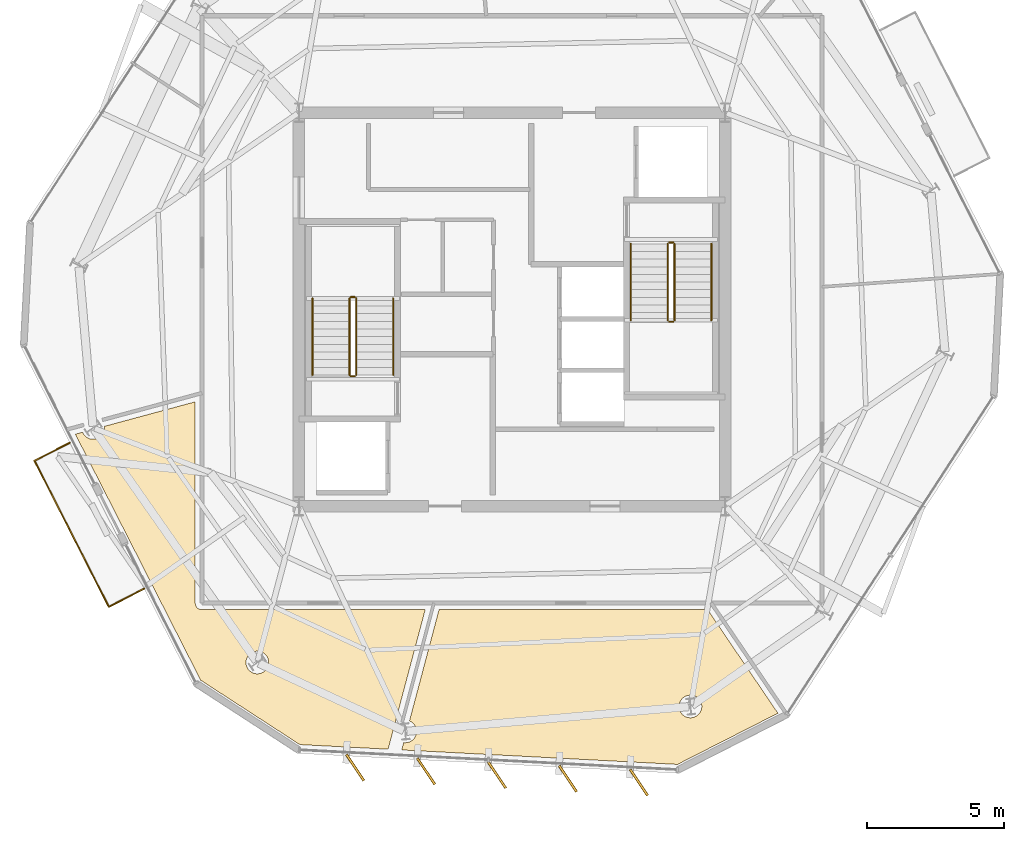
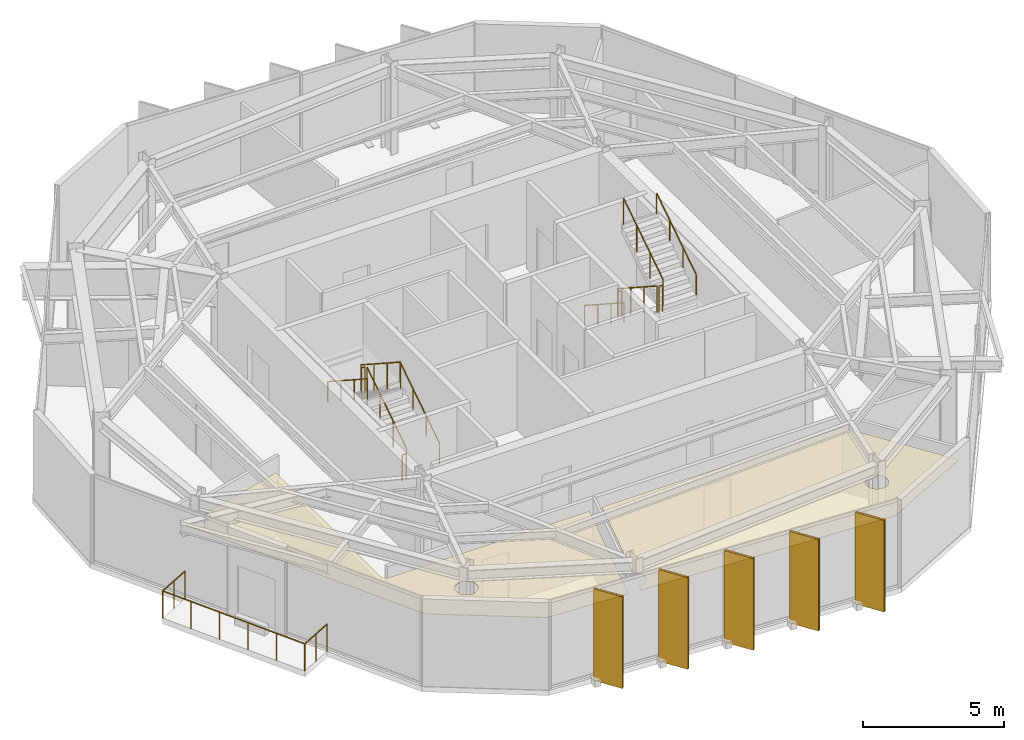
# One storey, part 10 of 11: 13 railings, 7 coverings, 5 shading devices.
"""IFC4 building model written with IfcOpenShell, lengths in metres."""

from ifc_helpers import new_model, si_unit, direction, frame, origin, origin_2d, place, context, subcontext, project, spatial, polyline, rectangle, circle, outline, extrude, material, layer, layer_set, type_object, element, save


model = new_model("IFC4")

# Units and contexts
model_context = context("Model", 3, precision=1e-05, world=origin(), true_north=direction((0.0, 1.0)))
body_context = subcontext(model_context, "Body", "Model", "MODEL_VIEW")
ifc_project = project(units=[si_unit("LENGTHUNIT", "METRE"), si_unit("AREAUNIT", "SQUARE_METRE"), si_unit("VOLUMEUNIT", "CUBIC_METRE"), si_unit("PLANEANGLEUNIT", "RADIAN"), si_unit("MASSUNIT", "GRAM", prefix="KILO")], contexts=[model_context])

# Site, building, storey
site_placement = place(None, origin())
site = spatial("IfcSite", under=ifc_project, at=site_placement, CompositionType="ELEMENT")
building_placement = place(site_placement, origin())
building = spatial("IfcBuilding", under=site, at=building_placement, Name="Kranzbogen Civic Tower", CompositionType="ELEMENT")
storey_placement = place(building_placement, frame((0.0, 0.0, 254.199951171875)))
storey = spatial("IfcBuildingStorey", under=building, at=storey_placement, Name="L61", CompositionType="ELEMENT", Elevation=254.199951171875)

# Coverings
ifc_material_1 = material(Name="Pale Anodised Aluminium", Category="aluminium")
ifc_layer_1 = layer(ifc_material_1, 0.02490234375, Name="Pale Anodised Aluminium")
ifc_layer_set_1 = layer_set([ifc_layer_1], Name="Pale Anodised Aluminium")
covering_type_1 = type_object("IfcCoveringType", Name="Anodised Aluminium Vertical Fin Cladding 25 mm", PredefinedType="CLADDING", material=ifc_layer_set_1)
for number, where, z_axis, x_axis, name in (
    (1, (19.259033203125, 8.22509765625, -0.139892578125), (0.0, 0.0, 1.0), (0.556614649614, -0.830770805839, 0.0), "L61 vertical fin pale-metal cladding F4-1"),
    (2, (21.85498046875, 8.089111328125, -0.139892578125), (0.0, 0.0, 1.0), (0.556614649614, -0.830770805839, 0.0), "L61 vertical fin pale-metal cladding F4-2"),
    (3, (24.451904296875, 7.952880859375, -0.139892578125), (0.0, 0.0, 1.0), (0.556614649614, -0.830770805839, 0.0), "L61 vertical fin pale-metal cladding F4-3"),
    (4, (27.048095703125, 7.81689453125, -0.139892578125), (0.0, 0.0, 1.0), (0.556614649614, -0.830770805839, 0.0), "L61 vertical fin pale-metal cladding F4-4"),
    (5, (29.64501953125, 7.680908203125, -0.139892578125), (0.0, 0.0, 1.0), (0.556614649614, -0.830770805839, 0.0), "L61 vertical fin pale-metal cladding F4-5"),
):
    element("IfcCovering", number, at=place(storey_placement, frame(where, z_axis=z_axis, x_axis=x_axis)), inside=storey, type_object=covering_type_1, Name=name, PredefinedType="CLADDING", context=body_context, shape_type="SweptSolid", body=[
        extrude(rectangle(XDim=1.14990234375, YDim=0.094970703125, at=origin_2d()), origin(), (0.0, 0.0, 1.0), 3.9599609375),
    ])

# Railings
ifc_material_2 = material(Name="Anodised Bronze Aluminium", Category="aluminium")
railing_type_1 = type_object("IfcRailingType", Name="Cantilevered Balcony Glass and Bronze Balustrade 1200", PredefinedType="BALUSTRADE", material=ifc_material_2)
railing_1_placement = place(storey_placement, frame((8.81005859375, 20.117919921875, 0.0)))
element("IfcRailing", 6, at=railing_1_placement, inside=storey, type_object=railing_type_1, Name="L61 exterior terrace balustrade L61-TB1", PredefinedType="BALUSTRADE", context=body_context, shape_type="SweptSolid", body=[
    extrude(circle(Radius=0.02392578125, at=origin_2d()), frame((0.0, 0.0, 1.17578125), z_axis=(-0.891102454825, -0.453802176068, 0.0), x_axis=(0.453802176068, -0.891102454825, 0.0)), (0.0, 0.0, 1.0), 1.449951171875),
    extrude(circle(Radius=0.02392578125, at=origin_2d()), frame((-1.2919921875, -0.657958984375, 1.17578125), z_axis=(0.453987955216, -0.891007820683, 0.0), x_axis=(0.891007820683, 0.453987955216, 0.0)), (0.0, 0.0, 1.0), 6.0),
    extrude(circle(Radius=0.02392578125, at=origin_2d()), frame((1.431884765625, -6.00390625, 1.17578125), z_axis=(0.891102454825, 0.453802176068, 0.0), x_axis=(-0.453802176068, 0.891102454825, 0.0)), (0.0, 0.0, 1.0), 1.449951171875),
    extrude(circle(Radius=0.02099609375, at=origin_2d()), origin(), (0.0, 0.0, 1.0), 1.15185546875),
    extrude(circle(Radius=0.02099609375, at=origin_2d()), frame((-0.64599609375, -0.3291015625, 0.0)), (0.0, 0.0, 1.0), 1.15185546875),
    extrude(circle(Radius=0.02099609375, at=origin_2d()), frame((-1.2919921875, -0.657958984375, 0.0)), (0.0, 0.0, 1.0), 1.15185546875),
    extrude(circle(Radius=0.02099609375, at=origin_2d()), frame((-0.747314453125, -1.72705078125, 0.0)), (0.0, 0.0, 1.0), 1.15185546875),
    extrude(circle(Radius=0.02099609375, at=origin_2d()), frame((-0.202392578125, -2.79638671875, 0.0)), (0.0, 0.0, 1.0), 1.15185546875),
    extrude(circle(Radius=0.02099609375, at=origin_2d()), frame((0.34228515625, -3.865478515625, 0.0)), (0.0, 0.0, 1.0), 1.15185546875),
    extrude(circle(Radius=0.02099609375, at=origin_2d()), frame((0.88720703125, -4.934814453125, 0.0)), (0.0, 0.0, 1.0), 1.15185546875),
    extrude(circle(Radius=0.02099609375, at=origin_2d()), frame((1.431884765625, -6.00390625, 0.0)), (0.0, 0.0, 1.0), 1.15185546875),
    extrude(circle(Radius=0.02099609375, at=origin_2d()), frame((2.077880859375, -5.6748046875, 0.0)), (0.0, 0.0, 1.0), 1.15185546875),
    extrude(circle(Radius=0.02099609375, at=origin_2d()), frame((2.723876953125, -5.345947265625, 0.0)), (0.0, 0.0, 1.0), 1.15185546875),
])
ifc_material_3 = material(Name="Steel S355", Category="steel")
railing_type_2 = type_object("IfcRailingType", Name="Internal Stair and Void Steel Guardrail 1150", PredefinedType="GUARDRAIL", material=ifc_material_3)
railing_2_placement = place(storey_placement, frame((19.300048828125, 22.60009765625, 0.181884765625)))
element("IfcRailing", 7, at=railing_2_placement, inside=storey, type_object=railing_type_2, Name="L61 ST-T1 stair guard 1", PredefinedType="GUARDRAIL", context=body_context, shape_type="SweptSolid", body=[
    extrude(circle(Radius=0.02392578125, at=origin_2d()), frame((0.0, 0.0, 1.1259765625), z_axis=(0.0, 0.83868413941, 0.544618136222), x_axis=(-1.0, 0.0, 0.0)), (0.0, 0.0, 1.0), 3.33837890625),
    extrude(circle(Radius=0.02099609375, at=origin_2d()), origin(), (0.0, 0.0, 1.0), 1.101806640625),
    extrude(circle(Radius=0.02099609375, at=origin_2d()), frame((0.0, 0.933349609375, 0.60595703125)), (0.0, 0.0, 1.0), 1.101806640625),
    extrude(circle(Radius=0.02099609375, at=origin_2d()), frame((0.0, 1.866455078125, 1.212158203125)), (0.0, 0.0, 1.0), 1.101806640625),
    extrude(circle(Radius=0.02099609375, at=origin_2d()), frame((0.0, 2.7998046875, 1.818115234375)), (0.0, 0.0, 1.0), 1.101806640625),
])
railing_3_placement = place(storey_placement, frame((19.25, 25.449951171875, 2.0)))
element("IfcRailing", 8, at=railing_3_placement, inside=storey, type_object=railing_type_2, Name="L61 ST-T1 stair guard 2", PredefinedType="GUARDRAIL", context=body_context, shape_type="SweptSolid", body=[
    extrude(circle(Radius=0.02392578125, at=origin_2d()), frame((0.0, 0.0, 1.1259765625), z_axis=(-1.0, 0.0, 0.0), x_axis=(0.0, -1.0, 0.0)), (0.0, 0.0, 1.0), 0.14990234375),
    extrude(circle(Radius=0.02099609375, at=origin_2d()), origin(), (0.0, 0.0, 1.0), 1.101806640625),
    extrude(circle(Radius=0.02099609375, at=origin_2d()), frame((-0.14990234375, 0.0, 0.0)), (0.0, 0.0, 1.0), 1.101806640625),
])
railing_4_placement = place(storey_placement, frame((19.050048828125, 25.39990234375, 2.181884765625)))
element("IfcRailing", 9, at=railing_4_placement, inside=storey, type_object=railing_type_2, Name="L61 ST-T1 stair guard 3", PredefinedType="GUARDRAIL", context=body_context, shape_type="SweptSolid", body=[
    extrude(circle(Radius=0.02392578125, at=origin_2d()), frame((0.0, 0.0, 1.1259765625), z_axis=(0.0, -0.83868413941, 0.544618136222), x_axis=(1.0, 0.0, 0.0)), (0.0, 0.0, 1.0), 3.33837890625),
    extrude(circle(Radius=0.02099609375, at=origin_2d()), origin(), (0.0, 0.0, 1.0), 1.101806640625),
    extrude(circle(Radius=0.02099609375, at=origin_2d()), frame((0.0, -0.933349609375, 0.60595703125)), (0.0, 0.0, 1.0), 1.101806640625),
    extrude(circle(Radius=0.02099609375, at=origin_2d()), frame((0.0, -1.866455078125, 1.212158203125)), (0.0, 0.0, 1.0), 1.101806640625),
    extrude(circle(Radius=0.02099609375, at=origin_2d()), frame((0.0, -2.7998046875, 1.818115234375)), (0.0, 0.0, 1.0), 1.101806640625),
])
railing_5_placement = place(storey_placement, frame((19.25, 22.550048828125, 0.0)))
element("IfcRailing", 10, at=railing_5_placement, inside=storey, type_object=railing_type_2, Name="L61 ST-T1 stair guard 4", PredefinedType="GUARDRAIL", context=body_context, shape_type="SweptSolid", body=[
    extrude(circle(Radius=0.02392578125, at=origin_2d()), frame((0.0, 0.0, 1.1259765625), z_axis=(-1.0, 0.0, 0.0), x_axis=(0.0, -1.0, 0.0)), (0.0, 0.0, 1.0), 0.14990234375),
    extrude(circle(Radius=0.02099609375, at=origin_2d()), origin(), (0.0, 0.0, 1.0), 1.101806640625),
    extrude(circle(Radius=0.02099609375, at=origin_2d()), frame((-0.14990234375, 0.0, 0.0)), (0.0, 0.0, 1.0), 1.101806640625),
])
railing_6_placement = place(storey_placement, frame((30.699951171875, 27.39990234375, 0.181884765625)))
element("IfcRailing", 11, at=railing_6_placement, inside=storey, type_object=railing_type_2, Name="L61 ST-T2 stair guard 1", PredefinedType="GUARDRAIL", context=body_context, shape_type="SweptSolid", body=[
    extrude(circle(Radius=0.02392578125, at=origin_2d()), frame((0.0, 0.0, 1.1259765625), z_axis=(0.0, -0.83868413941, 0.544618136222), x_axis=(1.0, 0.0, 0.0)), (0.0, 0.0, 1.0), 3.33837890625),
    extrude(circle(Radius=0.02099609375, at=origin_2d()), origin(), (0.0, 0.0, 1.0), 1.101806640625),
    extrude(circle(Radius=0.02099609375, at=origin_2d()), frame((0.0, -0.933349609375, 0.60595703125)), (0.0, 0.0, 1.0), 1.101806640625),
    extrude(circle(Radius=0.02099609375, at=origin_2d()), frame((0.0, -1.866455078125, 1.212158203125)), (0.0, 0.0, 1.0), 1.101806640625),
    extrude(circle(Radius=0.02099609375, at=origin_2d()), frame((0.0, -2.7998046875, 1.818115234375)), (0.0, 0.0, 1.0), 1.101806640625),
])
railing_7_placement = place(storey_placement, frame((30.75, 24.550048828125, 2.0)))
element("IfcRailing", 12, at=railing_7_placement, inside=storey, type_object=railing_type_2, Name="L61 ST-T2 stair guard 2", PredefinedType="GUARDRAIL", context=body_context, shape_type="SweptSolid", body=[
    extrude(circle(Radius=0.02392578125, at=origin_2d()), frame((0.0, 0.0, 1.1259765625), z_axis=(1.0, 0.0, 0.0), x_axis=(0.0, 1.0, 0.0)), (0.0, 0.0, 1.0), 0.14990234375),
    extrude(circle(Radius=0.02099609375, at=origin_2d()), origin(), (0.0, 0.0, 1.0), 1.101806640625),
    extrude(circle(Radius=0.02099609375, at=origin_2d()), frame((0.14990234375, 0.0, 0.0)), (0.0, 0.0, 1.0), 1.101806640625),
])
railing_8_placement = place(storey_placement, frame((30.949951171875, 24.60009765625, 2.181884765625)))
element("IfcRailing", 13, at=railing_8_placement, inside=storey, type_object=railing_type_2, Name="L61 ST-T2 stair guard 3", PredefinedType="GUARDRAIL", context=body_context, shape_type="SweptSolid", body=[
    extrude(circle(Radius=0.02392578125, at=origin_2d()), frame((0.0, 0.0, 1.1259765625), z_axis=(0.0, 0.83868413941, 0.544618136222), x_axis=(-1.0, 0.0, 0.0)), (0.0, 0.0, 1.0), 3.33837890625),
    extrude(circle(Radius=0.02099609375, at=origin_2d()), origin(), (0.0, 0.0, 1.0), 1.101806640625),
    extrude(circle(Radius=0.02099609375, at=origin_2d()), frame((0.0, 0.933349609375, 0.60595703125)), (0.0, 0.0, 1.0), 1.101806640625),
    extrude(circle(Radius=0.02099609375, at=origin_2d()), frame((0.0, 1.866455078125, 1.212158203125)), (0.0, 0.0, 1.0), 1.101806640625),
    extrude(circle(Radius=0.02099609375, at=origin_2d()), frame((0.0, 2.7998046875, 1.818115234375)), (0.0, 0.0, 1.0), 1.101806640625),
])
railing_9_placement = place(storey_placement, frame((30.75, 27.449951171875, 0.0)))
element("IfcRailing", 14, at=railing_9_placement, inside=storey, type_object=railing_type_2, Name="L61 ST-T2 stair guard 4", PredefinedType="GUARDRAIL", context=body_context, shape_type="SweptSolid", body=[
    extrude(circle(Radius=0.02392578125, at=origin_2d()), frame((0.0, 0.0, 1.1259765625), z_axis=(1.0, 0.0, 0.0), x_axis=(0.0, 1.0, 0.0)), (0.0, 0.0, 1.0), 0.14990234375),
    extrude(circle(Radius=0.02099609375, at=origin_2d()), origin(), (0.0, 0.0, 1.0), 1.101806640625),
    extrude(circle(Radius=0.02099609375, at=origin_2d()), frame((0.14990234375, 0.0, 0.0)), (0.0, 0.0, 1.0), 1.101806640625),
])

# Shading devices
shading_device_type = type_object("IfcShadingDeviceType", Name="Pale Anodised Aluminium Crown Fin 1150x75", PredefinedType="USERDEFINED", material=ifc_material_1)
for number, where, z_axis, x_axis, name in (
    (15, (19.259033203125, 8.22509765625, -0.139892578125), (0.0, 0.0, 1.0), (0.556614649614, -0.830770805839, 0.0), "L61 vertical exterior shading fin F4-1"),
    (16, (21.85498046875, 8.089111328125, -0.139892578125), (0.0, 0.0, 1.0), (0.556614649614, -0.830770805839, 0.0), "L61 vertical exterior shading fin F4-2"),
    (17, (24.451904296875, 7.952880859375, -0.139892578125), (0.0, 0.0, 1.0), (0.556614649614, -0.830770805839, 0.0), "L61 vertical exterior shading fin F4-3"),
    (18, (27.048095703125, 7.81689453125, -0.139892578125), (0.0, 0.0, 1.0), (0.556614649614, -0.830770805839, 0.0), "L61 vertical exterior shading fin F4-4"),
    (19, (29.64501953125, 7.680908203125, -0.139892578125), (0.0, 0.0, 1.0), (0.556614649614, -0.830770805839, 0.0), "L61 vertical exterior shading fin F4-5"),
):
    element("IfcShadingDevice", number, at=place(storey_placement, frame(where, z_axis=z_axis, x_axis=x_axis)), inside=storey, type_object=shading_device_type, Name=name, ObjectType="FIN", PredefinedType="USERDEFINED", context=body_context, shape_type="SweptSolid", body=[
        extrude(rectangle(XDim=1.14990234375, YDim=0.074951171875, at=origin_2d()), origin(), (0.0, 0.0, 1.0), 3.9599609375),
    ])

# Coverings
ifc_material_4 = material(Name="Perforated Acoustic Gypsum Ceiling")
ifc_layer_2 = layer(ifc_material_4, 0.02490234375, Name="Perforated Acoustic Gypsum Ceiling")
ifc_layer_set_2 = layer_set([ifc_layer_2], Name="Perforated Acoustic Gypsum Ceiling")
covering_type_2 = type_object("IfcCoveringType", Name="Perforated Acoustic Mineral Ceiling Tile 25 mm", PredefinedType="CEILING", material=ifc_layer_set_2)
covering_1_placement = place(storey_placement, frame((0.0, 0.0, 2.900146484375)))
element("IfcCovering", 20, at=covering_1_placement, inside=storey, type_object=covering_type_2, Name="L61 Public Delegation Reception acoustic ceiling", PredefinedType="CEILING", context=body_context, shape_type="SweptSolid", body=[
    extrude(outline(polyline([(13.60498046875, 11.424072265625), (9.01611328125, 20.430908203125), (9.281982421875, 20.5029296875), (9.281982421875, 20.501953125), (9.300048828125, 20.465087890625), (9.321044921875, 20.429931640625), (9.344970703125, 20.39697265625), (9.3720703125, 20.366943359375), (9.402099609375, 20.340087890625), (9.43505859375, 20.31591796875), (9.469970703125, 20.294921875), (9.507080078125, 20.277099609375), (9.544921875, 20.262939453125), (9.5849609375, 20.25390625), (9.625, 20.248046875), (9.666015625, 20.24609375), (9.70703125, 20.248046875), (9.7470703125, 20.25390625), (9.787109375, 20.262939453125), (9.824951171875, 20.277099609375), (9.862060546875, 20.294921875), (9.89697265625, 20.31591796875), (9.929931640625, 20.340087890625), (9.9599609375, 20.366943359375), (9.987060546875, 20.39697265625), (10.010986328125, 20.429931640625), (10.031982421875, 20.465087890625), (10.050048828125, 20.501953125), (10.06396484375, 20.5400390625), (10.072998046875, 20.580078125), (10.0791015625, 20.6201171875), (10.0810546875, 20.660888671875), (10.0791015625, 20.701904296875), (10.076904296875, 20.718017578125), (13.405029296875, 21.615966796875), (13.405029296875, 14.25), (13.405029296875, 14.240966796875), (13.406005859375, 14.235107421875), (13.406982421875, 14.217041015625), (13.407958984375, 14.2109375), (13.412109375, 14.194091796875), (13.4130859375, 14.18701171875), (13.41796875, 14.169921875), (13.419921875, 14.1640625), (13.427001953125, 14.14794921875), (13.429931640625, 14.14208984375), (13.43798828125, 14.126953125), (13.44189453125, 14.12109375), (13.450927734375, 14.10693359375), (13.455078125, 14.10205078125), (13.466064453125, 14.087890625), (13.470947265625, 14.0830078125), (13.48291015625, 14.071044921875), (13.488037109375, 14.06591796875), (13.501953125, 14.054931640625), (13.507080078125, 14.051025390625), (13.52099609375, 14.0419921875), (13.527099609375, 14.0380859375), (13.5419921875, 14.030029296875), (13.548095703125, 14.027099609375), (13.56396484375, 14.02001953125), (13.570068359375, 14.01806640625), (13.5869140625, 14.012939453125), (13.593994140625, 14.011962890625), (13.611083984375, 14.008056640625), (13.616943359375, 14.007080078125), (13.635009765625, 14.006103515625), (13.64111328125, 14.0048828125), (13.64990234375, 14.0048828125), (21.822021484375, 14.0048828125), (20.464111328125, 8.89892578125), (17.23291015625, 9.068115234375), (13.60498046875, 11.424072265625)]), holes=[polyline([(16.06201171875, 11.9150390625), (16.0439453125, 11.8779296875), (16.02294921875, 11.843017578125), (15.9990234375, 11.81005859375), (15.971923828125, 11.780029296875), (15.94189453125, 11.7529296875), (15.908935546875, 11.72900390625), (15.8740234375, 11.7080078125), (15.8369140625, 11.68994140625), (15.799072265625, 11.676025390625), (15.759033203125, 11.6669921875), (15.718994140625, 11.660888671875), (15.677978515625, 11.658935546875), (15.636962890625, 11.660888671875), (15.596923828125, 11.6669921875), (15.556884765625, 11.676025390625), (15.51904296875, 11.68994140625), (15.48193359375, 11.7080078125), (15.447021484375, 11.72900390625), (15.4140625, 11.7529296875), (15.384033203125, 11.780029296875), (15.35693359375, 11.81005859375), (15.3330078125, 11.843017578125), (15.31201171875, 11.8779296875), (15.2939453125, 11.9150390625), (15.280029296875, 11.952880859375), (15.27099609375, 11.992919921875), (15.264892578125, 12.032958984375), (15.262939453125, 12.073974609375), (15.264892578125, 12.114990234375), (15.27099609375, 12.155029296875), (15.280029296875, 12.195068359375), (15.2939453125, 12.23291015625), (15.31201171875, 12.27001953125), (15.3330078125, 12.304931640625), (15.35693359375, 12.337890625), (15.384033203125, 12.367919921875), (15.4140625, 12.39501953125), (15.447021484375, 12.4189453125), (15.48193359375, 12.43994140625), (15.51904296875, 12.4580078125), (15.556884765625, 12.471923828125), (15.596923828125, 12.48095703125), (15.636962890625, 12.487060546875), (15.677978515625, 12.489013671875), (15.718994140625, 12.487060546875), (15.759033203125, 12.48095703125), (15.799072265625, 12.471923828125), (15.8369140625, 12.4580078125), (15.8740234375, 12.43994140625), (15.908935546875, 12.4189453125), (15.94189453125, 12.39501953125), (15.971923828125, 12.367919921875), (15.9990234375, 12.337890625), (16.02294921875, 12.304931640625), (16.0439453125, 12.27001953125), (16.06201171875, 12.23291015625), (16.075927734375, 12.195068359375), (16.0849609375, 12.155029296875), (16.091064453125, 12.114990234375), (16.093017578125, 12.073974609375), (16.091064453125, 12.032958984375), (16.0849609375, 11.992919921875), (16.075927734375, 11.952880859375), (16.06201171875, 11.9150390625)])]), origin(), (0.0, 0.0, 1.0), 0.02490234375),
])
covering_2_placement = place(storey_placement, frame((0.0, 0.0, 2.900146484375)))
element("IfcCovering", 21, at=covering_2_placement, inside=storey, type_object=covering_type_2, Name="L61 Visitor Concierge Foyer acoustic ceiling", PredefinedType="CEILING", context=body_context, shape_type="SweptSolid", body=[
    extrude(outline(polyline([(20.964111328125, 8.8720703125), (21.034912109375, 9.138916015625), (21.050048828125, 9.136962890625), (21.091064453125, 9.135009765625), (21.132080078125, 9.136962890625), (21.172119140625, 9.14306640625), (21.2119140625, 9.152099609375), (21.25, 9.166015625), (21.287109375, 9.18408203125), (21.322021484375, 9.205078125), (21.35498046875, 9.22900390625), (21.385009765625, 9.256103515625), (21.412109375, 9.285888671875), (21.43603515625, 9.319091796875), (21.45703125, 9.35400390625), (21.47509765625, 9.39111328125), (21.489013671875, 9.428955078125), (21.498046875, 9.468994140625), (21.50390625, 9.509033203125), (21.506103515625, 9.550048828125), (21.50390625, 9.591064453125), (21.498046875, 9.631103515625), (21.489013671875, 9.6708984375), (21.47509765625, 9.708984375), (21.45703125, 9.74609375), (21.43603515625, 9.781005859375), (21.412109375, 9.81396484375), (21.385009765625, 9.843994140625), (21.35498046875, 9.87109375), (21.322021484375, 9.89501953125), (21.287109375, 9.916015625), (21.25, 9.93408203125), (21.2470703125, 9.93505859375), (22.3291015625, 14.0048828125), (32.1640625, 14.0048828125), (34.735107421875, 10.216064453125), (31.05908203125, 8.343017578125), (20.964111328125, 8.8720703125)]), holes=[polyline([(31.9169921875, 10.304931640625), (31.89892578125, 10.26806640625), (31.8779296875, 10.23291015625), (31.85400390625, 10.199951171875), (31.826904296875, 10.169921875), (31.797119140625, 10.14306640625), (31.763916015625, 10.118896484375), (31.72900390625, 10.097900390625), (31.69189453125, 10.080078125), (31.654052734375, 10.06591796875), (31.614013671875, 10.056884765625), (31.573974609375, 10.051025390625), (31.532958984375, 10.049072265625), (31.491943359375, 10.051025390625), (31.451904296875, 10.056884765625), (31.412109375, 10.06591796875), (31.3740234375, 10.080078125), (31.3369140625, 10.097900390625), (31.302001953125, 10.118896484375), (31.26904296875, 10.14306640625), (31.239013671875, 10.169921875), (31.2119140625, 10.199951171875), (31.18798828125, 10.23291015625), (31.1669921875, 10.26806640625), (31.14892578125, 10.304931640625), (31.135009765625, 10.343017578125), (31.1259765625, 10.383056640625), (31.1201171875, 10.423095703125), (31.117919921875, 10.464111328125), (31.1201171875, 10.5048828125), (31.1259765625, 10.544921875), (31.135009765625, 10.5849609375), (31.14892578125, 10.623046875), (31.1669921875, 10.659912109375), (31.18798828125, 10.695068359375), (31.2119140625, 10.72802734375), (31.239013671875, 10.758056640625), (31.26904296875, 10.784912109375), (31.302001953125, 10.80908203125), (31.3369140625, 10.830078125), (31.3740234375, 10.847900390625), (31.412109375, 10.862060546875), (31.451904296875, 10.87109375), (31.491943359375, 10.876953125), (31.532958984375, 10.87890625), (31.573974609375, 10.876953125), (31.614013671875, 10.87109375), (31.654052734375, 10.862060546875), (31.69189453125, 10.847900390625), (31.72900390625, 10.830078125), (31.763916015625, 10.80908203125), (31.797119140625, 10.784912109375), (31.826904296875, 10.758056640625), (31.85400390625, 10.72802734375), (31.8779296875, 10.695068359375), (31.89892578125, 10.659912109375), (31.9169921875, 10.623046875), (31.930908203125, 10.5849609375), (31.93994140625, 10.544921875), (31.946044921875, 10.5048828125), (31.947998046875, 10.464111328125), (31.946044921875, 10.423095703125), (31.93994140625, 10.383056640625), (31.930908203125, 10.343017578125), (31.9169921875, 10.304931640625)])]), origin(), (0.0, 0.0, 1.0), 0.02490234375),
])

# Railings
railing_type_3 = type_object("IfcRailingType", Name="Tubular Stainless Stair Wall Handrail 900", PredefinedType="HANDRAIL", material=ifc_material_1)
railing_10_placement = place(storey_placement, frame((20.64990234375, 22.60009765625, 0.181884765625)))
element("IfcRailing", 22, at=railing_10_placement, inside=storey, type_object=railing_type_3, Name="L61 ST-T1 stair handrail 1", PredefinedType="HANDRAIL", context=body_context, shape_type="SweptSolid", body=[
    extrude(circle(Radius=0.02392578125, at=origin_2d()), frame((0.0, 0.0, 0.8759765625), z_axis=(0.0, 0.83868413941, 0.544618136222), x_axis=(-1.0, 0.0, 0.0)), (0.0, 0.0, 1.0), 3.33837890625),
    extrude(circle(Radius=0.02099609375, at=origin_2d()), origin(), (0.0, 0.0, 1.0), 0.851806640625),
    extrude(circle(Radius=0.02099609375, at=origin_2d()), frame((0.0, 0.933349609375, 0.60595703125)), (0.0, 0.0, 1.0), 0.851806640625),
    extrude(circle(Radius=0.02099609375, at=origin_2d()), frame((0.0, 1.866455078125, 1.212158203125)), (0.0, 0.0, 1.0), 0.851806640625),
    extrude(circle(Radius=0.02099609375, at=origin_2d()), frame((0.0, 2.7998046875, 1.818115234375)), (0.0, 0.0, 1.0), 0.851806640625),
])
for number, where, name in (
    (23, (17.699951171875, 25.39990234375, 2.181884765625), "L61 ST-T1 stair handrail 2"),
    (24, (29.35009765625, 27.39990234375, 0.181884765625), "L61 ST-T2 stair handrail 1"),
):
    element("IfcRailing", number, at=place(storey_placement, frame(where)), inside=storey, type_object=railing_type_3, Name=name, PredefinedType="HANDRAIL", context=body_context, shape_type="SweptSolid", body=[
        extrude(circle(Radius=0.02392578125, at=origin_2d()), frame((0.0, 0.0, 0.8759765625), z_axis=(0.0, -0.83868413941, 0.544618136222), x_axis=(1.0, 0.0, 0.0)), (0.0, 0.0, 1.0), 3.33837890625),
        extrude(circle(Radius=0.02099609375, at=origin_2d()), origin(), (0.0, 0.0, 1.0), 0.851806640625),
        extrude(circle(Radius=0.02099609375, at=origin_2d()), frame((0.0, -0.933349609375, 0.60595703125)), (0.0, 0.0, 1.0), 0.851806640625),
        extrude(circle(Radius=0.02099609375, at=origin_2d()), frame((0.0, -1.866455078125, 1.212158203125)), (0.0, 0.0, 1.0), 0.851806640625),
        extrude(circle(Radius=0.02099609375, at=origin_2d()), frame((0.0, -2.7998046875, 1.818115234375)), (0.0, 0.0, 1.0), 0.851806640625),
    ])
railing_11_placement = place(storey_placement, frame((32.300048828125, 24.60009765625, 2.181884765625)))
element("IfcRailing", 25, at=railing_11_placement, inside=storey, type_object=railing_type_3, Name="L61 ST-T2 stair handrail 2", PredefinedType="HANDRAIL", context=body_context, shape_type="SweptSolid", body=[
    extrude(circle(Radius=0.02392578125, at=origin_2d()), frame((0.0, 0.0, 0.8759765625), z_axis=(0.0, 0.83868413941, 0.544618136222), x_axis=(-1.0, 0.0, 0.0)), (0.0, 0.0, 1.0), 3.33837890625),
    extrude(circle(Radius=0.02099609375, at=origin_2d()), origin(), (0.0, 0.0, 1.0), 0.851806640625),
    extrude(circle(Radius=0.02099609375, at=origin_2d()), frame((0.0, 0.933349609375, 0.60595703125)), (0.0, 0.0, 1.0), 0.851806640625),
    extrude(circle(Radius=0.02099609375, at=origin_2d()), frame((0.0, 1.866455078125, 1.212158203125)), (0.0, 0.0, 1.0), 0.851806640625),
    extrude(circle(Radius=0.02099609375, at=origin_2d()), frame((0.0, 2.7998046875, 1.818115234375)), (0.0, 0.0, 1.0), 0.851806640625),
])

save(model, "model.ifc")
